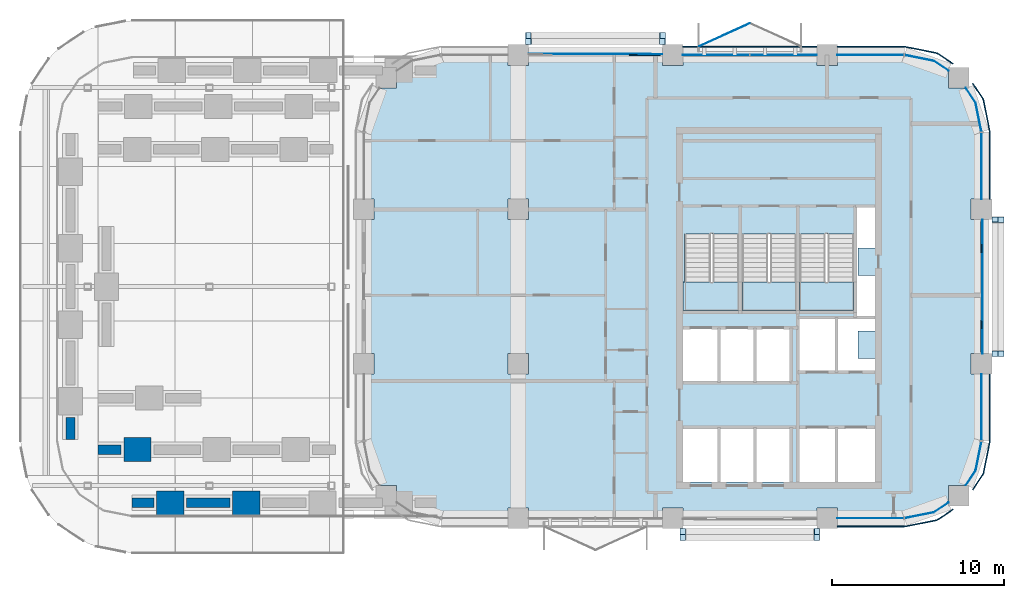
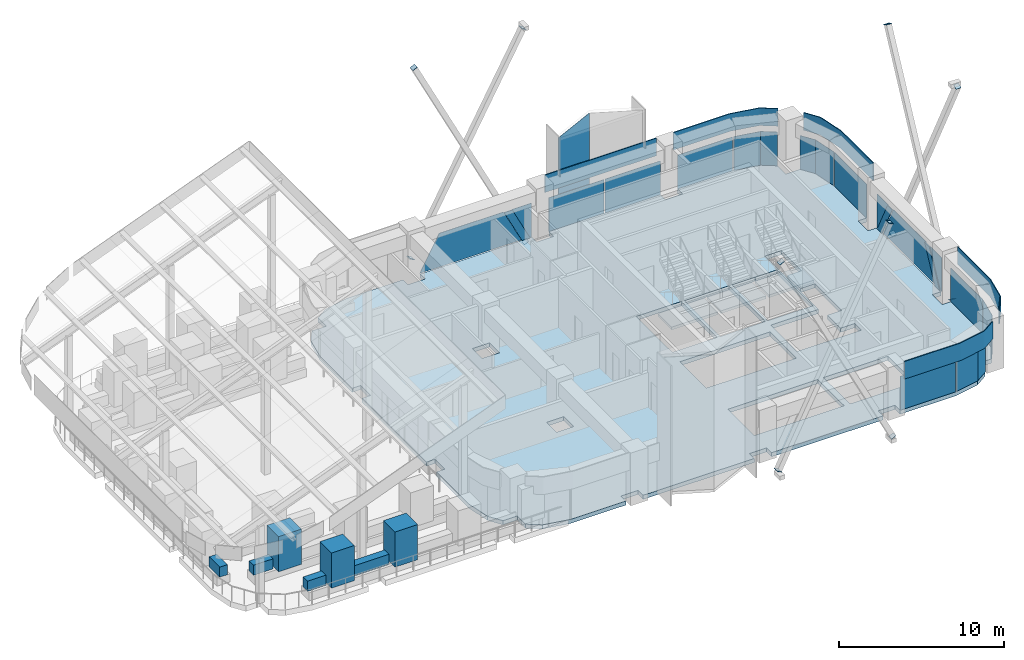
# One storey, part 7 of 13: 36 plates, 7 walls, 4 slabs, 10 elements without a shape of their own.
"""IFC4 building model written with IfcOpenShell, lengths in metres."""

from ifc_helpers import new_model, si_unit, direction, frame, frame_2d, origin, origin_2d, place, context, subcontext, project, spatial, polyline, rectangle, outline, extrude, material, layer, layer_set, type_object, element, aggregate, save


model = new_model("IFC4")

# Units and contexts
model_context = context("Model", 3, precision=1e-05, world=origin(), true_north=direction((0.0, 1.0)))
body_context = subcontext(model_context, "Body", "Model", "MODEL_VIEW")
ifc_project = project(units=[si_unit("LENGTHUNIT", "METRE"), si_unit("AREAUNIT", "SQUARE_METRE"), si_unit("VOLUMEUNIT", "CUBIC_METRE"), si_unit("PLANEANGLEUNIT", "RADIAN"), si_unit("MASSUNIT", "GRAM", prefix="KILO")], contexts=[model_context])

# Site, building, storey
site_placement = place(None, origin())
site = spatial("IfcSite", under=ifc_project, at=site_placement, CompositionType="ELEMENT")
building_placement = place(site_placement, origin())
building = spatial("IfcBuilding", under=site, at=building_placement, Name="Tessera Arch", CompositionType="ELEMENT")
storey_placement = place(building_placement, frame((0.0, 0.0, 234.5)))
storey = spatial("IfcBuildingStorey", under=building, at=storey_placement, Name="L56", CompositionType="ELEMENT", Elevation=234.5)

# Curtain wall, plates
ifc_material_1 = material(Name="CW1 curtain wall")
curtain_wall_type_1 = type_object("IfcCurtainWallType", Name="CW1 curtain wall", PredefinedType="NOTDEFINED", material=ifc_material_1)
curtain_wall_1_placement = place(storey_placement, origin())
curtain_wall_1 = element("IfcCurtainWall", 1, at=curtain_wall_1_placement, inside=storey, type_object=curtain_wall_type_1, Name="CW1 curtain wall N54.18/1 L56", PredefinedType="NOTDEFINED")
ifc_material_2 = material(Name="Clear low-e glass", Category="glass")
ifc_material_3 = material(Name="Clear low-e glass", Category="glass")
ifc_layer_1 = layer(ifc_material_3, 0.028076171875)
ifc_layer_set_1 = layer_set([ifc_layer_1], Name="CW1 glass panel")
plate_type_1 = type_object("IfcPlateType", Name="CW1 glass panel", PredefinedType="CURTAIN_PANEL", material=ifc_layer_set_1)
plate_1_placement = place(storey_placement, frame((42.465087890625, 54.0, 0.0), z_axis=(0.0, 0.0, 1.0), x_axis=(-1.0, 0.0, 0.0)))
plate_1 = element("IfcPlate", 2, at=plate_1_placement, type_object=plate_type_1, material=ifc_material_2, Name="CW1 glass panel N54.18/1 1.1.1", PredefinedType="CURTAIN_PANEL", context=body_context, shape_type="SweptSolid", body=[
    extrude(rectangle(XDim=3.8701171875, YDim=0.028076171875, at=origin_2d()), origin(), (0.0, 0.0, 1.0), 2.5),
])
plate_2_placement = place(storey_placement, frame((38.534912109375, 54.0, 0.0), z_axis=(0.0, 0.0, 1.0), x_axis=(-1.0, 0.0, 0.0)))
plate_2 = element("IfcPlate", 3, at=plate_2_placement, type_object=plate_type_1, material=ifc_material_2, Name="CW1 glass panel N54.18/1 1.2.1", PredefinedType="CURTAIN_PANEL", context=body_context, shape_type="SweptSolid", body=[
    extrude(rectangle(XDim=3.8701171875, YDim=0.028076171875, at=origin_2d()), origin(), (0.0, 0.0, 1.0), 2.5),
])
ifc_material_4 = material(Name="Pale anodised aluminium panel", Category="aluminium")
ifc_layer_2 = layer(ifc_material_4, 0.06005859375)
ifc_layer_set_2 = layer_set([ifc_layer_2], Name="CW1 spandrel panel")
plate_type_2 = type_object("IfcPlateType", Name="CW1 spandrel panel", PredefinedType="CURTAIN_PANEL", material=ifc_layer_set_2)
plate_3_placement = place(storey_placement, frame((40.5, 54.47998046875, 2.60009765625), z_axis=(0.0, 0.0, 1.0), x_axis=(-1.0, 0.0, 0.0)))
plate_3 = element("IfcPlate", 4, at=plate_3_placement, type_object=plate_type_2, Name="CW1 spandrel panel N54.18/1", PredefinedType="CURTAIN_PANEL", context=body_context, shape_type="SweptSolid", body=[
    extrude(rectangle(XDim=7.800048828125, YDim=0.06005859375, at=origin_2d()), origin(), (0.0, 0.0, 1.0), 1.300048828125),
])
aggregate(curtain_wall_1, [plate_1, plate_2, plate_3])

ifc_material_5 = material(Name="CW2 curtain wall")
curtain_wall_type_2 = type_object("IfcCurtainWallType", Name="CW2 curtain wall", PredefinedType="NOTDEFINED", material=ifc_material_5)
curtain_wall_2_placement = place(storey_placement, origin())
curtain_wall_2 = element("IfcCurtainWall", 5, at=curtain_wall_2_placement, inside=storey, type_object=curtain_wall_type_2, Name="CW2 curtain wall E54.27/1 L56", PredefinedType="NOTDEFINED")
ifc_material_6 = material(Name="Clear low-e glass", Category="glass")
ifc_layer_3 = layer(ifc_material_6, 0.028076171875)
ifc_layer_set_3 = layer_set([ifc_layer_3], Name="CW2 glass panel")
plate_type_3 = type_object("IfcPlateType", Name="CW2 glass panel", PredefinedType="CURTAIN_PANEL", material=ifc_layer_set_3)
plate_4_placement = place(storey_placement, frame((54.0, 47.530029296875, 0.0), z_axis=(0.0, 0.0, 1.0), x_axis=(0.0, 1.0, 0.0)))
plate_4 = element("IfcPlate", 6, at=plate_4_placement, type_object=plate_type_3, material=ifc_material_2, Name="CW2 glass panel E54.27/1 1.1", PredefinedType="CURTAIN_PANEL", context=body_context, shape_type="SweptSolid", body=[
    extrude(rectangle(XDim=3.860107421875, YDim=0.028076171875, at=origin_2d()), origin(), (0.0, 0.0, 1.0), 2.5),
])
plate_5_placement = place(storey_placement, origin())
plate_5 = element("IfcPlate", 7, at=plate_5_placement, type_object=plate_type_3, material=ifc_material_2, Name="CW2 curved glass panel E54.27/1 2.1", PredefinedType="CURTAIN_PANEL", context=body_context, shape_type="SweptSolid", body=[
    extrude(outline(polyline([(53.644287109375, 51.216552734375), (53.978515625, 49.53662109375), (54.005859375, 49.5419921875), (53.670654296875, 51.2275390625), (53.094482421875, 52.08984375), (53.0712890625, 52.07421875), (53.644287109375, 51.216552734375)])), origin(), (0.0, 0.0, 1.0), 2.5),
])

curtain_wall_3_placement = place(storey_placement, origin())
curtain_wall_3 = element("IfcCurtainWall", 8, at=curtain_wall_3_placement, inside=storey, type_object=curtain_wall_type_2, Name="CW2 curtain wall N54.18/0 L56", PredefinedType="NOTDEFINED")
plate_6_placement = place(storey_placement, frame((47.530029296875, 54.0, 0.0), z_axis=(0.0, 0.0, 1.0), x_axis=(-1.0, 0.0, 0.0)))
plate_6 = element("IfcPlate", 9, at=plate_6_placement, type_object=plate_type_3, material=ifc_material_2, Name="CW2 glass panel N54.18/0 1.1", PredefinedType="CURTAIN_PANEL", context=body_context, shape_type="SweptSolid", body=[
    extrude(rectangle(XDim=3.860107421875, YDim=0.028076171875, at=origin_2d()), origin(), (0.0, 0.0, 1.0), 2.5),
])
plate_7_placement = place(storey_placement, origin())
plate_7 = element("IfcPlate", 10, at=plate_7_placement, type_object=plate_type_3, material=ifc_material_2, Name="CW2 curved glass panel N54.18/0 2.1", PredefinedType="CURTAIN_PANEL", context=body_context, shape_type="SweptSolid", body=[
    extrude(outline(polyline([(51.216552734375, 53.644287109375), (52.07421875, 53.0712890625), (52.08984375, 53.094482421875), (51.2275390625, 53.670654296875), (49.5419921875, 54.005859375), (49.53662109375, 53.978515625), (51.216552734375, 53.644287109375)])), origin(), (0.0, 0.0, 1.0), 2.5),
])

curtain_wall_4_placement = place(storey_placement, origin())
curtain_wall_4 = element("IfcCurtainWall", 11, at=curtain_wall_4_placement, inside=storey, type_object=curtain_wall_type_2, Name="CW2 curtain wall S27.18/3 L56", PredefinedType="NOTDEFINED")
plate_8_placement = place(storey_placement, frame((47.530029296875, 27.0, 0.0), z_axis=(0.0, 0.0, 1.0), x_axis=(1.0, 0.0, 0.0)))
plate_8 = element("IfcPlate", 12, at=plate_8_placement, type_object=plate_type_3, material=ifc_material_2, Name="CW2 glass panel S27.18/3 1.1", PredefinedType="CURTAIN_PANEL", context=body_context, shape_type="SweptSolid", body=[
    extrude(rectangle(XDim=3.860107421875, YDim=0.028076171875, at=origin_2d()), origin(), (0.0, 0.0, 1.0), 2.5),
])
plate_9_placement = place(storey_placement, origin())
plate_9 = element("IfcPlate", 13, at=plate_9_placement, type_object=plate_type_3, material=ifc_material_2, Name="CW2 curved glass panel S27.18/3 2.1", PredefinedType="CURTAIN_PANEL", context=body_context, shape_type="SweptSolid", body=[
    extrude(outline(polyline([(51.216552734375, 27.355712890625), (49.53662109375, 27.021484375), (49.5419921875, 26.994140625), (51.2275390625, 27.329345703125), (52.08984375, 27.905517578125), (52.07421875, 27.9287109375), (51.216552734375, 27.355712890625)])), origin(), (0.0, 0.0, 1.0), 2.5),
])

curtain_wall_5_placement = place(storey_placement, origin())
curtain_wall_5 = element("IfcCurtainWall", 14, at=curtain_wall_5_placement, inside=storey, type_object=curtain_wall_type_2, Name="CW2 curtain wall E54.27/2 L56", PredefinedType="NOTDEFINED")
plate_10_placement = place(storey_placement, frame((54.0, 33.469970703125, 0.0), z_axis=(0.0, 0.0, 1.0), x_axis=(0.0, 1.0, 0.0)))
plate_10 = element("IfcPlate", 15, at=plate_10_placement, type_object=plate_type_3, material=ifc_material_2, Name="CW2 glass panel E54.27/2 1.1", PredefinedType="CURTAIN_PANEL", context=body_context, shape_type="SweptSolid", body=[
    extrude(rectangle(XDim=3.860107421875, YDim=0.028076171875, at=origin_2d()), origin(), (0.0, 0.0, 1.0), 2.5),
])
plate_11_placement = place(storey_placement, origin())
plate_11 = element("IfcPlate", 16, at=plate_11_placement, type_object=plate_type_3, material=ifc_material_2, Name="CW2 curved glass panel E54.27/2 2.1", PredefinedType="CURTAIN_PANEL", context=body_context, shape_type="SweptSolid", body=[
    extrude(outline(polyline([(53.644287109375, 29.783447265625), (53.0712890625, 28.92578125), (53.094482421875, 28.91015625), (53.670654296875, 29.7724609375), (54.005859375, 31.4580078125), (53.978515625, 31.46337890625), (53.644287109375, 29.783447265625)])), origin(), (0.0, 0.0, 1.0), 2.5),
])

# Plate
ifc_material_7 = material(Name="Pale anodised aluminium panel", Category="aluminium")
ifc_layer_4 = layer(ifc_material_7, 0.06005859375)
ifc_layer_set_4 = layer_set([ifc_layer_4], Name="CW2 spandrel panel")
plate_type_4 = type_object("IfcPlateType", Name="CW2 spandrel panel", PredefinedType="CURTAIN_PANEL", material=ifc_layer_set_4)
plate_12_placement = place(storey_placement, frame((0.0, 0.0, 2.60009765625)))
plate_12 = element("IfcPlate", 17, at=plate_12_placement, type_object=plate_type_4, Name="CW2 spandrel panel E54.27/1", PredefinedType="CURTAIN_PANEL", context=body_context, shape_type="SweptSolid", body=[
    extrude(outline(polyline([(54.449951171875, 49.499267578125), (54.449951171875, 45.60009765625), (54.510009765625, 45.60009765625), (54.510009765625, 49.500732421875), (54.507568359375, 49.550048828125), (54.500244140625, 49.598876953125), (54.157470703125, 51.322265625), (54.1455078125, 51.3701171875), (54.128662109375, 51.417236328125), (54.107421875, 51.462646484375), (54.08203125, 51.5048828125), (53.5068359375, 52.365234375), (53.45703125, 52.33203125), (54.03125, 51.47265625), (54.054443359375, 51.434326171875), (54.0732421875, 51.394287109375), (54.088134765625, 51.352783203125), (54.09912109375, 51.30908203125), (54.441162109375, 49.588623046875), (54.44775390625, 49.544189453125), (54.449951171875, 49.499267578125)])), origin(), (0.0, 0.0, 1.0), 1.2998046875),
])

aggregate(curtain_wall_2, [plate_4, plate_5, plate_12])

plate_13_placement = place(storey_placement, frame((0.0, 0.0, 2.60009765625)))
plate_13 = element("IfcPlate", 18, at=plate_13_placement, type_object=plate_type_4, Name="CW2 spandrel panel N54.18/0", PredefinedType="CURTAIN_PANEL", context=body_context, shape_type="SweptSolid", body=[
    extrude(outline(polyline([(51.47265625, 54.03125), (52.33203125, 53.45703125), (52.365234375, 53.5068359375), (51.5048828125, 54.08203125), (51.462646484375, 54.107421875), (51.417236328125, 54.128662109375), (51.3701171875, 54.1455078125), (51.322265625, 54.157470703125), (49.598876953125, 54.500244140625), (49.550048828125, 54.507568359375), (49.500732421875, 54.510009765625), (45.60009765625, 54.510009765625), (45.60009765625, 54.449951171875), (49.499267578125, 54.449951171875), (49.544189453125, 54.44775390625), (49.588623046875, 54.441162109375), (51.30908203125, 54.09912109375), (51.352783203125, 54.088134765625), (51.394287109375, 54.0732421875), (51.434326171875, 54.054443359375), (51.47265625, 54.03125)])), origin(), (0.0, 0.0, 1.0), 1.2998046875),
])

aggregate(curtain_wall_3, [plate_6, plate_7, plate_13])

plate_14_placement = place(storey_placement, frame((0.0, 0.0, 2.60009765625)))
plate_14 = element("IfcPlate", 19, at=plate_14_placement, type_object=plate_type_4, Name="CW2 spandrel panel S27.18/3", PredefinedType="CURTAIN_PANEL", context=body_context, shape_type="SweptSolid", body=[
    extrude(outline(polyline([(49.499267578125, 26.550048828125), (45.60009765625, 26.550048828125), (45.60009765625, 26.489990234375), (49.500732421875, 26.489990234375), (49.550048828125, 26.492431640625), (49.598876953125, 26.499755859375), (51.322265625, 26.842529296875), (51.3701171875, 26.8544921875), (51.417236328125, 26.871337890625), (51.462646484375, 26.892578125), (51.5048828125, 26.91796875), (52.365234375, 27.4931640625), (52.33203125, 27.54296875), (51.47265625, 26.96875), (51.434326171875, 26.945556640625), (51.394287109375, 26.9267578125), (51.352783203125, 26.911865234375), (51.30908203125, 26.90087890625), (49.588623046875, 26.558837890625), (49.544189453125, 26.55224609375), (49.499267578125, 26.550048828125)])), origin(), (0.0, 0.0, 1.0), 1.2998046875),
])

aggregate(curtain_wall_4, [plate_8, plate_9, plate_14])

plate_15_placement = place(storey_placement, frame((0.0, 0.0, 2.60009765625)))
plate_15 = element("IfcPlate", 20, at=plate_15_placement, type_object=plate_type_4, Name="CW2 spandrel panel E54.27/2", PredefinedType="CURTAIN_PANEL", context=body_context, shape_type="SweptSolid", body=[
    extrude(outline(polyline([(54.03125, 29.52734375), (53.45703125, 28.66796875), (53.5068359375, 28.634765625), (54.08203125, 29.4951171875), (54.107421875, 29.537353515625), (54.128662109375, 29.582763671875), (54.1455078125, 29.6298828125), (54.157470703125, 29.677734375), (54.500244140625, 31.401123046875), (54.507568359375, 31.449951171875), (54.510009765625, 31.499267578125), (54.510009765625, 35.39990234375), (54.449951171875, 35.39990234375), (54.449951171875, 31.500732421875), (54.44775390625, 31.455810546875), (54.441162109375, 31.411376953125), (54.09912109375, 29.69091796875), (54.088134765625, 29.647216796875), (54.0732421875, 29.605712890625), (54.054443359375, 29.565673828125), (54.03125, 29.52734375)])), origin(), (0.0, 0.0, 1.0), 1.2998046875),
])

aggregate(curtain_wall_5, [plate_10, plate_11, plate_15])

# Curtain wall, plates
ifc_material_8 = material(Name="CW3 curtain wall")
curtain_wall_type_3 = type_object("IfcCurtainWallType", Name="CW3 curtain wall", PredefinedType="NOTDEFINED", material=ifc_material_8)
curtain_wall_6_placement = place(storey_placement, origin())
curtain_wall_6 = element("IfcCurtainWall", 21, at=curtain_wall_6_placement, inside=storey, type_object=curtain_wall_type_3, Name="CW3 curtain wall E54.27/0 L56", PredefinedType="NOTDEFINED")
ifc_material_9 = material(Name="Pale anodised aluminium panel", Category="aluminium")
ifc_layer_5 = layer(ifc_material_9, 0.06005859375)
ifc_layer_set_5 = layer_set([ifc_layer_5], Name="CW3 diagonal panel")
plate_type_5 = type_object("IfcPlateType", Name="CW3 diagonal panel", PredefinedType="CURTAIN_PANEL", material=ifc_layer_set_5)
plate_16_placement = place(storey_placement, frame((54.030029296875, 43.0322265625, 2.5), z_axis=(1.0, 0.0, 0.0), x_axis=(0.0, -1.0, 0.0)))
plate_16 = element("IfcPlate", 22, at=plate_16_placement, type_object=plate_type_5, Name="CW3 diagonal panel E54.27/0 1", PredefinedType="CURTAIN_PANEL", context=body_context, shape_type="SweptSolid", body=[
    extrude(outline(polyline([(0.0, 0.0), (0.564453125, 0.0), (-0.685546875, 2.5), (-1.25, 2.5), (0.0, 0.0)])), origin(), (0.0, 0.0, -1.0), 0.06005859375),
])
plate_17_placement = place(storey_placement, frame((54.030029296875, 38.5322265625, 2.5), z_axis=(1.0, 0.0, 0.0), x_axis=(0.0, -1.0, 0.0)))
plate_17 = element("IfcPlate", 23, at=plate_17_placement, type_object=plate_type_5, Name="CW3 diagonal panel E54.27/0 2", PredefinedType="CURTAIN_PANEL", context=body_context, shape_type="SweptSolid", body=[
    extrude(outline(polyline([(0.0, 0.0), (0.564453125, 0.0), (1.814453125, 2.5), (1.25, 2.5), (0.0, 0.0)])), origin(), (0.0, 0.0, -1.0), 0.06005859375),
])

# Curtain wall, plate
curtain_wall_7_placement = place(storey_placement, origin())
curtain_wall_7 = element("IfcCurtainWall", 24, at=curtain_wall_7_placement, inside=storey, type_object=curtain_wall_type_3, Name="CW3 curtain wall N54.18/2 L56", PredefinedType="NOTDEFINED")
plate_18_placement = place(storey_placement, frame((33.4677734375, 54.030029296875, 2.5), z_axis=(0.0, 1.0, 0.0), x_axis=(1.0, 0.0, 0.0)))
plate_18 = element("IfcPlate", 25, at=plate_18_placement, type_object=plate_type_5, Name="CW3 diagonal panel N54.18/2 2", PredefinedType="CURTAIN_PANEL", context=body_context, shape_type="SweptSolid", body=[
    extrude(outline(polyline([(0.0, 0.0), (0.564453125, 0.0), (1.814453125, 2.5), (1.25, 2.5), (0.0, 0.0)])), origin(), (0.0, 0.0, -1.0), 0.06005859375),
])

# Plate
ifc_material_10 = material(Name="Clear low-e glass", Category="glass")
ifc_layer_6 = layer(ifc_material_10, 0.028076171875)
ifc_layer_set_6 = layer_set([ifc_layer_6], Name="CW3 glass panel")
plate_type_6 = type_object("IfcPlateType", Name="CW3 glass panel", PredefinedType="CURTAIN_PANEL", material=ifc_layer_set_6)
plate_19_placement = place(storey_placement, frame((54.05810546875, 36.60009765625, 0.0), z_axis=(1.0, 0.0, 0.0), x_axis=(0.0, 1.0, 0.0)))
plate_19 = element("IfcPlate", 26, at=plate_19_placement, type_object=plate_type_6, material=ifc_material_2, Name="CW3 triangulated glass panel E54.27/0 1", PredefinedType="CURTAIN_PANEL", context=body_context, shape_type="SweptSolid", body=[
    extrude(outline(polyline([(0.0, 0.0), (0.11767578125, 0.0), (1.36767578125, 2.5), (0.0, 2.5), (0.0, 0.0)])), origin(), (0.0, 0.0, -1.0), 0.028076171875),
])

plate_20_placement = place(storey_placement, frame((54.0859375, 42.4677734375, 2.5), z_axis=(1.0, 0.0, 0.0), x_axis=(0.0, -1.0, 0.0)))
plate_20 = element("IfcPlate", 27, at=plate_20_placement, type_object=plate_type_6, material=ifc_material_2, Name="CW3 triangulated glass panel E54.27/0 2", PredefinedType="CURTAIN_PANEL", context=body_context, shape_type="SweptSolid", body=[
    extrude(outline(polyline([(0.0, 0.0), (3.935546875, 0.0), (5.185546875, 2.5), (-1.25, 2.5), (0.0, 0.0)])), origin(), (0.0, 0.0, -1.0), 0.028076171875),
])

plate_21_placement = place(storey_placement, frame((54.05810546875, 44.39990234375, 2.5), z_axis=(1.0, 0.0, 0.0), x_axis=(0.0, -1.0, 0.0)))
plate_21 = element("IfcPlate", 28, at=plate_21_placement, type_object=plate_type_6, material=ifc_material_2, Name="CW3 triangulated glass panel E54.27/0 3", PredefinedType="CURTAIN_PANEL", context=body_context, shape_type="SweptSolid", body=[
    extrude(outline(polyline([(0.0, 0.0), (1.36767578125, 0.0), (0.11767578125, 2.5), (0.0, 2.5), (0.0, 0.0)])), origin(), (0.0, 0.0, -1.0), 0.028076171875),
])

aggregate(curtain_wall_6, [plate_19, plate_20, plate_21, plate_16, plate_17])

plate_22_placement = place(storey_placement, frame((35.39990234375, 54.05810546875, 0.0), z_axis=(0.0, 1.0, 0.0), x_axis=(-1.0, 0.0, 0.0)))
plate_22 = element("IfcPlate", 29, at=plate_22_placement, type_object=plate_type_6, material=ifc_material_2, Name="CW3 triangulated glass panel N54.18/2 1", PredefinedType="CURTAIN_PANEL", context=body_context, shape_type="SweptSolid", body=[
    extrude(outline(polyline([(0.0, 0.0), (0.11767578125, 0.0), (1.36767578125, 2.5), (0.0, 2.5), (0.0, 0.0)])), origin(), (0.0, 0.0, -1.0), 0.028076171875),
])

plate_23_placement = place(storey_placement, frame((28.9677734375, 54.0859375, 2.5), z_axis=(0.0, 1.0, 0.0), x_axis=(1.0, 0.0, 0.0)))
plate_23 = element("IfcPlate", 30, at=plate_23_placement, type_object=plate_type_6, material=ifc_material_2, Name="CW3 triangulated glass panel N54.18/2 2", PredefinedType="CURTAIN_PANEL", context=body_context, shape_type="SweptSolid", body=[
    extrude(outline(polyline([(0.0, 0.0), (4.5, 0.0), (5.75, 2.5), (-1.36572265625, 2.5), (0.0, 0.0)])), origin(), (0.0, 0.0, -1.0), 0.028076171875),
])

aggregate(curtain_wall_7, [plate_22, plate_23, plate_18])

# Plates
ifc_material_11 = material(Name="Steel A572 Gr50", Category="steel")
ifc_layer_7 = layer(ifc_material_11, 0.02490234375)
ifc_layer_set_7 = layer_set([ifc_layer_7], Name="End plate HSS14x14x1/2")
plate_type_7 = type_object("IfcPlateType", Name="End plate HSS14x14x1/2", PredefinedType="SHEET", material=ifc_layer_set_7)
for number, where, z_axis, x_axis, name in (
    (31, (54.77783203125, 36.5888671875, -0.822265625), (0.0, 0.451132182653, 0.892457143943), (-1.0, 0.0, 0.0), "End plate HSS14x14x1/2 E54.27-0 A1 L56"),
    (32, (54.77783203125, 44.39990234375, 14.800048828125), (0.0, 0.451132182653, 0.892457143943), (-1.0, 0.0, 0.0), "End plate HSS14x14x1/2 E54.27-0 A2 L56"),
    (33, (55.13330078125, 44.4111328125, -0.822265625), (0.0, -0.451132182653, 0.892457143943), (1.0, 0.0, 0.0), "End plate HSS14x14x1/2 E54.27-0 B1 L56"),
    (34, (55.13330078125, 36.60009765625, 14.800048828125), (0.0, -0.451132182653, 0.892457143943), (1.0, 0.0, 0.0), "End plate HSS14x14x1/2 E54.27-0 B2 L56"),
    (35, (35.4111328125, 54.77783203125, -0.822265625), (-0.451132182653, 0.0, 0.892457143943), (0.0, -1.0, 0.0), "End plate HSS14x14x1/2 N54.18-2 A1 L56"),
    (36, (27.60009765625, 54.77783203125, 14.800048828125), (-0.451132182653, 0.0, 0.892457143943), (0.0, -1.0, 0.0), "End plate HSS14x14x1/2 N54.18-2 A2 L56"),
    (37, (27.587890625, 55.13330078125, 0.5009765625), (0.489796081565, 0.0, 0.871837025185), (0.0, 1.0, 0.0), "End plate HSS14x14x1/2 N54.18-2 B1 L56"),
):
    element("IfcPlate", number, at=place(storey_placement, frame(where, z_axis=z_axis, x_axis=x_axis)), inside=storey, type_object=plate_type_7, Name=name, PredefinedType="SHEET", context=body_context, shape_type="SweptSolid", body=[
        extrude(rectangle(XDim=0.355712890625, YDim=0.355712890625, at=origin_2d()), origin(), (0.0, 0.0, 1.0), 0.02490234375),
    ])
plate_24_placement = place(storey_placement, frame((35.39990234375, 55.13330078125, 14.800048828125), z_axis=(0.485642931179, 0.0, 0.874157276122), x_axis=(0.0, 1.0, 0.0)))
element("IfcPlate", 38, at=plate_24_placement, inside=storey, type_object=plate_type_7, Name="End plate HSS14x14x1/2 N54.18-2 B2 L56", PredefinedType="SHEET", context=body_context, shape_type="SweptSolid", body=[
    extrude(rectangle(XDim=0.355712890625, YDim=0.355712890625, at=origin_2d()), origin(), (0.0, 0.0, 1.0), 0.025146484375),
])
for number, where, z_axis, x_axis, name in (
    (39, (36.5888671875, 26.22216796875, -0.822265625), (0.451132182653, 0.0, 0.892457143943), (0.0, 1.0, 0.0), "End plate HSS14x14x1/2 S27.18-2 A1 L56"),
    (40, (44.39990234375, 26.22216796875, 14.800048828125), (0.451132182653, 0.0, 0.892457143943), (0.0, 1.0, 0.0), "End plate HSS14x14x1/2 S27.18-2 A2 L56"),
    (41, (44.4111328125, 25.86669921875, -0.822265625), (-0.451132182653, 0.0, 0.892457143943), (0.0, -1.0, 0.0), "End plate HSS14x14x1/2 S27.18-2 B1 L56"),
    (42, (36.60009765625, 25.86669921875, 14.800048828125), (-0.451132182653, 0.0, 0.892457143943), (0.0, -1.0, 0.0), "End plate HSS14x14x1/2 S27.18-2 B2 L56"),
):
    element("IfcPlate", number, at=place(storey_placement, frame(where, z_axis=z_axis, x_axis=x_axis)), inside=storey, type_object=plate_type_7, Name=name, PredefinedType="SHEET", context=body_context, shape_type="SweptSolid", body=[
        extrude(rectangle(XDim=0.355712890625, YDim=0.355712890625, at=origin_2d()), origin(), (0.0, 0.0, 1.0), 0.02490234375),
    ])

# Slab
ifc_material_12 = material(Name="Concrete C40/50", Category="concrete")
ifc_layer_8 = layer(ifc_material_12, 0.300048828125)
ifc_layer_set_8 = layer_set([ifc_layer_8], Name="Floor slab 300 Concrete C40/50")
slab_type_1 = type_object("IfcSlabType", Name="Floor slab 300 Concrete C40/50", PredefinedType="FLOOR", material=ifc_layer_set_8)
slab_1_placement = place(storey_placement, frame((0.0, 0.0, -0.300048828125)))
element("IfcSlab", 43, at=slab_1_placement, inside=storey, type_object=slab_type_1, Name="Floor slab L56 1", PredefinedType="FLOOR", context=body_context, shape_type="SweptSolid", body=[
    extrude(outline(polyline([(54.0, 31.5), (53.657470703125, 29.77783203125), (53.0830078125, 28.91796875), (52.08203125, 28.91796875), (52.08203125, 27.9169921875), (51.22216796875, 27.342529296875), (49.5, 27.0), (45.60009765625, 27.0), (45.60009765625, 27.60009765625), (44.39990234375, 27.60009765625), (44.39990234375, 27.0), (36.60009765625, 27.0), (36.60009765625, 27.60009765625), (35.39990234375, 27.60009765625), (35.39990234375, 27.0), (27.60009765625, 27.0), (27.60009765625, 27.60009765625), (26.39990234375, 27.60009765625), (26.39990234375, 27.0), (22.5, 27.0), (20.77783203125, 27.342529296875), (19.91796875, 27.9169921875), (19.91796875, 28.91796875), (18.9169921875, 28.91796875), (18.342529296875, 29.77783203125), (18.0, 31.5), (18.0, 35.39990234375), (18.60009765625, 35.39990234375), (18.60009765625, 36.60009765625), (18.0, 36.60009765625), (18.0, 44.39990234375), (18.60009765625, 44.39990234375), (18.60009765625, 45.60009765625), (18.0, 45.60009765625), (18.0, 49.5), (18.342529296875, 51.22216796875), (18.9169921875, 52.08203125), (19.91796875, 52.08203125), (19.91796875, 53.0830078125), (20.77783203125, 53.657470703125), (22.5, 54.0), (26.39990234375, 54.0), (26.39990234375, 53.39990234375), (27.60009765625, 53.39990234375), (27.60009765625, 54.0), (35.39990234375, 54.0), (35.39990234375, 53.39990234375), (36.60009765625, 53.39990234375), (36.60009765625, 54.0), (44.39990234375, 54.0), (44.39990234375, 53.39990234375), (45.60009765625, 53.39990234375), (45.60009765625, 54.0), (49.5, 54.0), (51.22216796875, 53.657470703125), (52.08203125, 53.0830078125), (52.08203125, 52.08203125), (53.0830078125, 52.08203125), (53.657470703125, 51.22216796875), (54.0, 49.5), (54.0, 45.60009765625), (53.39990234375, 45.60009765625), (53.39990234375, 44.39990234375), (54.0, 44.39990234375), (54.0, 36.60009765625), (53.39990234375, 36.60009765625), (53.39990234375, 35.39990234375), (54.0, 35.39990234375), (54.0, 31.5)]), holes=[polyline([(40.800048828125, 29.10009765625), (42.89990234375, 29.10009765625), (42.89990234375, 32.300048828125), (40.800048828125, 32.300048828125), (38.699951171875, 32.300048828125), (36.60009765625, 32.300048828125), (36.60009765625, 29.10009765625), (38.699951171875, 29.10009765625), (40.800048828125, 29.10009765625)]), polyline([(27.60009765625, 35.39990234375), (27.60009765625, 36.60009765625), (26.39990234375, 36.60009765625), (26.39990234375, 35.39990234375), (27.60009765625, 35.39990234375)]), polyline([(40.800048828125, 34.89990234375), (42.89990234375, 34.89990234375), (42.89990234375, 38.10009765625), (40.800048828125, 38.10009765625), (38.699951171875, 38.10009765625), (36.60009765625, 38.10009765625), (36.60009765625, 34.89990234375), (38.699951171875, 34.89990234375), (40.800048828125, 34.89990234375)]), polyline([(38.219970703125, 43.580078125), (38.219970703125, 43.570068359375), (36.699951171875, 43.570068359375), (36.699951171875, 39.199951171875), (39.85009765625, 39.199951171875), (39.85009765625, 43.570068359375), (38.330078125, 43.570068359375), (38.330078125, 43.580078125), (38.219970703125, 43.580078125)]), polyline([(27.60009765625, 44.39990234375), (27.60009765625, 45.60009765625), (26.39990234375, 45.60009765625), (26.39990234375, 44.39990234375), (27.60009765625, 44.39990234375)]), polyline([(47.800048828125, 32.300048828125), (45.550048828125, 32.300048828125), (43.300048828125, 32.300048828125), (43.300048828125, 29.10009765625), (45.550048828125, 29.10009765625), (47.800048828125, 29.10009765625), (47.800048828125, 32.300048828125)]), polyline([(46.64990234375, 38.699951171875), (45.550048828125, 38.699951171875), (43.300048828125, 38.699951171875), (43.300048828125, 35.5), (45.550048828125, 35.5), (47.800048828125, 35.5), (47.800048828125, 36.300048828125), (46.800048828125, 36.300048828125), (46.800048828125, 37.89990234375), (47.800048828125, 37.89990234375), (47.800048828125, 38.699951171875), (47.800048828125, 41.14990234375), (46.800048828125, 41.14990234375), (46.800048828125, 42.75), (47.800048828125, 42.75), (47.800048828125, 45.199951171875), (46.64990234375, 45.199951171875), (46.64990234375, 38.699951171875)]), polyline([(41.570068359375, 43.580078125), (41.570068359375, 43.570068359375), (40.050048828125, 43.570068359375), (40.050048828125, 39.199951171875), (43.199951171875, 39.199951171875), (43.199951171875, 43.570068359375), (41.679931640625, 43.570068359375), (41.679931640625, 43.580078125), (41.570068359375, 43.580078125)]), polyline([(44.919921875, 43.580078125), (44.919921875, 43.570068359375), (43.39990234375, 43.570068359375), (43.39990234375, 39.199951171875), (46.550048828125, 39.199951171875), (46.550048828125, 43.570068359375), (45.030029296875, 43.570068359375), (45.030029296875, 43.580078125), (44.919921875, 43.580078125)])]), origin(), (0.0, 0.0, 1.0), 0.300048828125),
])

# Stair, slab
ifc_material_13 = material(Name="Concrete C40/50", Category="concrete")
stair_type = type_object("IfcStairType", Name="Dogleg stair 1520", PredefinedType="HALF_TURN_STAIR", material=ifc_material_13)
stair_1_placement = place(storey_placement, origin())
stair_1 = element("IfcStair", 44, at=stair_1_placement, inside=storey, type_object=stair_type, Name="L56 S1a", PredefinedType="HALF_TURN_STAIR")
ifc_material_14 = material(Name="Concrete C40/50", Category="concrete")
ifc_layer_9 = layer(ifc_material_14, 0.300048828125)
ifc_layer_set_9 = layer_set([ifc_layer_9], Name="Stair landing 300")
slab_type_2 = type_object("IfcSlabType", Name="Stair landing 300", PredefinedType="LANDING", material=ifc_layer_set_9)
slab_2_placement = place(storey_placement, frame((0.0, 0.0, 1.75)))
slab_2 = element("IfcSlab", 45, at=slab_2_placement, type_object=slab_type_2, Name="S1a landing 1", PredefinedType="LANDING", context=body_context, shape_type="SweptSolid", body=[
    extrude(outline(polyline([(36.60009765625, 40.780029296875), (36.60009765625, 39.10009765625), (39.85009765625, 39.10009765625), (39.85009765625, 40.780029296875), (36.60009765625, 40.780029296875)])), origin(), (0.0, 0.0, 1.0), 0.199951171875),
])
aggregate(stair_1, [slab_2])

stair_2_placement = place(storey_placement, origin())
stair_2 = element("IfcStair", 46, at=stair_2_placement, inside=storey, type_object=stair_type, Name="L56 S1b", PredefinedType="HALF_TURN_STAIR")
slab_3_placement = place(storey_placement, frame((0.0, 0.0, 1.75)))
slab_3 = element("IfcSlab", 47, at=slab_3_placement, type_object=slab_type_2, Name="S1b landing 1", PredefinedType="LANDING", context=body_context, shape_type="SweptSolid", body=[
    extrude(outline(polyline([(40.050048828125, 40.780029296875), (40.050048828125, 39.10009765625), (43.199951171875, 39.10009765625), (43.199951171875, 40.780029296875), (40.050048828125, 40.780029296875)])), origin(), (0.0, 0.0, 1.0), 0.199951171875),
])
aggregate(stair_2, [slab_3])

stair_3_placement = place(storey_placement, origin())
stair_3 = element("IfcStair", 48, at=stair_3_placement, inside=storey, type_object=stair_type, Name="L56 S1c", PredefinedType="HALF_TURN_STAIR")
slab_4_placement = place(storey_placement, frame((0.0, 0.0, 1.75)))
slab_4 = element("IfcSlab", 49, at=slab_4_placement, type_object=slab_type_2, Name="S1c landing 1", PredefinedType="LANDING", context=body_context, shape_type="SweptSolid", body=[
    extrude(outline(polyline([(43.39990234375, 40.780029296875), (43.39990234375, 39.10009765625), (46.550048828125, 39.10009765625), (46.550048828125, 40.780029296875), (43.39990234375, 40.780029296875)])), origin(), (0.0, 0.0, 1.0), 0.199951171875),
])
aggregate(stair_3, [slab_4])

# Plate
ifc_material_15 = material(Name="Clear low-e glass", Category="glass")
ifc_layer_10 = layer(ifc_material_15, 0.028076171875)
ifc_layer_set_10 = layer_set([ifc_layer_10], Name="Window box glass facet")
plate_type_8 = type_object("IfcPlateType", Name="Window box glass facet", PredefinedType="SHEET", material=ifc_layer_set_10)
plate_25_placement = place(storey_placement, frame((39.02490234375, 55.179931640625, 0.219970703125), z_axis=(0.0, 0.0, 1.0), x_axis=(0.910472144558, 0.413570397858, 0.0)))
element("IfcPlate", 50, at=plate_25_placement, inside=storey, type_object=plate_type_8, Name="Window box N54.18/1.0 2x2 glass", PredefinedType="SHEET", context=body_context, shape_type="SweptSolid", body=[
    extrude(rectangle(XDim=3.239990234375, YDim=0.028076171875, at=origin_2d()), origin(), (0.0, 0.0, 1.0), 6.06005859375),
])

# Walls
ifc_material_16 = material(Name="Precast concrete C40/50", Category="concrete")
ifc_layer_11 = layer(ifc_material_16, 1.39990234375)
ifc_layer_set_11 = layer_set([ifc_layer_11], Name="Planter bed 1400 wide")
wall_type_1 = type_object("IfcWallType", Name="Planter bed 1400 wide", PredefinedType="SOLIDWALL", material=ifc_layer_set_11)
for number, where, z_axis, x_axis, name in (
    (51, (4.0087890625, 31.0, 0.60009765625), (0.0, 0.0, 1.0), (1.0, 0.0, 0.0), "Tree planting on bed garden bed 1 1"),
    (52, (11.95458984375, 27.89990234375, 0.60009765625), (0.0, 0.0, 1.0), (-1.0, 0.0, 0.0), "Tree planting on bed terrace bed 2-1 3"),
    (53, (7.518798828125, 27.89990234375, 0.60009765625), (0.0, 0.0, 1.0), (-1.0, 0.0, 0.0), "Tree planting on bed terrace bed 2-1 4"),
):
    element("IfcWall", number, at=place(storey_placement, frame(where, z_axis=z_axis, x_axis=x_axis)), inside=storey, type_object=wall_type_1, Name=name, PredefinedType="SOLIDWALL", context=body_context, shape_type="SweptSolid", body=[
        extrude(rectangle(XDim=1.60009765625, YDim=1.39990234375, at=frame_2d((0.800048828125, 0.0))), origin(), (0.0, 0.0, 1.0), 2.599853515625),
    ])
ifc_material_17 = material(Name="Precast concrete C40/50", Category="concrete")
ifc_layer_12 = layer(ifc_material_17, 0.5400390625)
ifc_layer_set_12 = layer_set([ifc_layer_12], Name="Planter bed 540 wide")
wall_type_2 = type_object("IfcWallType", Name="Planter bed 540 wide", PredefinedType="SOLIDWALL", material=ifc_layer_set_12)
wall_1_placement = place(storey_placement, frame((2.5, 31.0, 0.60009765625), z_axis=(0.0, 0.0, 1.0), x_axis=(1.0, 0.0, 0.0)))
element("IfcWall", 54, at=wall_1_placement, inside=storey, type_object=wall_type_2, Name="PLANTER shrub mass on garden bed 1 1", PredefinedType="SOLIDWALL", context=body_context, shape_type="SweptSolid", body=[
    extrude(rectangle(XDim=1.35888671875, YDim=0.5400390625, at=frame_2d((0.679443359375, 0.0))), origin(), (0.0, 0.0, 1.0), 0.75),
])
wall_2_placement = place(storey_placement, frame((0.900146484375, 31.587890625, 0.60009765625), z_axis=(0.0, 0.0, 1.0), x_axis=(0.0, 1.0, 0.0)))
element("IfcWall", 55, at=wall_2_placement, inside=storey, type_object=wall_type_2, Name="PLANTER shrub mass on terrace bed 1-1 1", PredefinedType="SOLIDWALL", context=body_context, shape_type="SweptSolid", body=[
    extrude(rectangle(XDim=1.27783203125, YDim=0.5400390625, at=frame_2d((0.638916015625, 0.0))), origin(), (0.0, 0.0, 1.0), 0.75),
])
wall_3_placement = place(storey_placement, frame((10.20458984375, 27.89990234375, 0.60009765625), z_axis=(0.0, 0.0, 1.0), x_axis=(-1.0, 0.0, 0.0)))
element("IfcWall", 56, at=wall_3_placement, inside=storey, type_object=wall_type_2, Name="PLANTER shrub mass on terrace bed 2-1 4", PredefinedType="SOLIDWALL", context=body_context, shape_type="SweptSolid", body=[
    extrude(rectangle(XDim=2.535888671875, YDim=0.5400390625, at=frame_2d((1.26806640625, 0.0))), origin(), (0.0, 0.0, 1.0), 0.75),
])
wall_4_placement = place(storey_placement, frame((5.768798828125, 27.89990234375, 0.60009765625), z_axis=(0.0, 0.0, 1.0), x_axis=(-1.0, 0.0, 0.0)))
element("IfcWall", 57, at=wall_4_placement, inside=storey, type_object=wall_type_2, Name="PLANTER shrub mass on terrace bed 2-1 5", PredefinedType="SOLIDWALL", context=body_context, shape_type="SweptSolid", body=[
    extrude(rectangle(XDim=1.267822265625, YDim=0.5400390625, at=frame_2d((0.6337890625, 0.0))), origin(), (0.0, 0.0, 1.0), 0.75),
])

save(model, "model.ifc")
